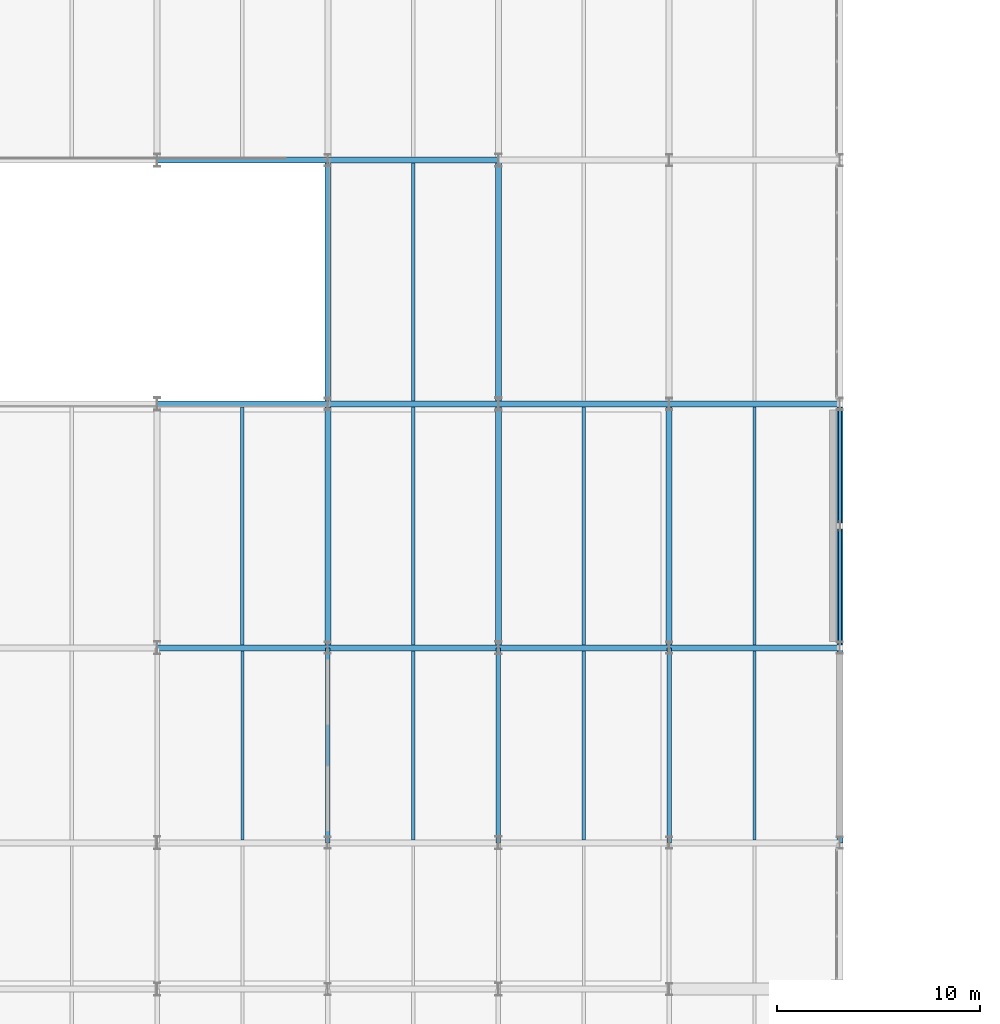
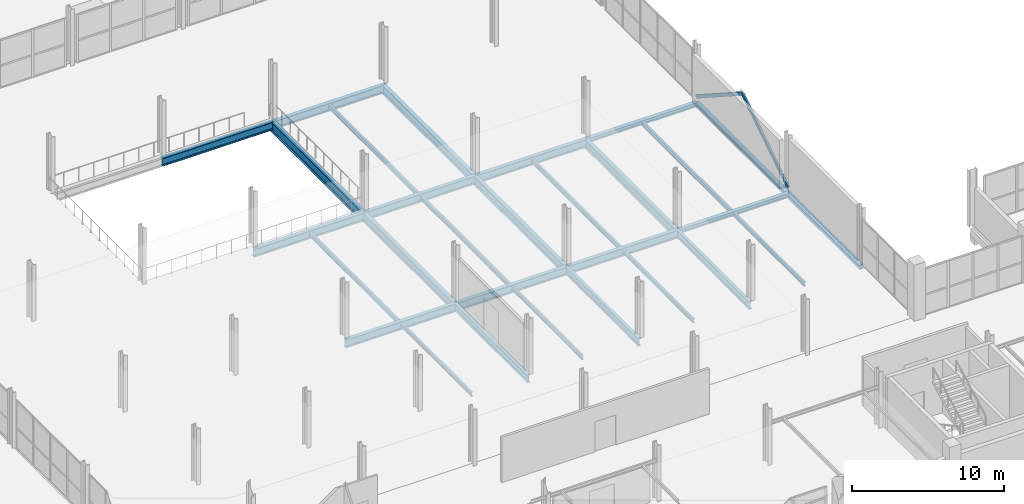
# One storey, part 60 of 130: 29 beams, 2 members.
"""IFC4 building model written with IfcOpenShell, lengths in metres."""

from ifc_helpers import new_model, si_unit, direction, frame, origin, origin_2d, place, context, subcontext, project, spatial, hollow_rectangle, i_section, extrude, material, material_profile, profile_set, type_object, element, save


model = new_model("IFC4")

# Units and contexts
model_context = context("Model", 3, precision=1e-05, world=origin(), true_north=direction((0.0, 1.0)))
body_context = subcontext(model_context, "Body", "Model", "MODEL_VIEW")
ifc_project = project(units=[si_unit("LENGTHUNIT", "METRE"), si_unit("AREAUNIT", "SQUARE_METRE"), si_unit("VOLUMEUNIT", "CUBIC_METRE"), si_unit("PLANEANGLEUNIT", "RADIAN"), si_unit("MASSUNIT", "GRAM", prefix="KILO")], contexts=[model_context])

# Site, building, storey
site_placement = place(None, origin())
site = spatial("IfcSite", under=ifc_project, at=site_placement, CompositionType="ELEMENT")
building_placement = place(site_placement, origin())
building = spatial("IfcBuilding", under=site, at=building_placement, Name="Veltarok Museum of Natural Sciences", CompositionType="ELEMENT")
storey_placement = place(building_placement, frame((0.0, 0.0, 12.89990234375)))
storey = spatial("IfcBuildingStorey", under=building, at=storey_placement, Name="L02", CompositionType="ELEMENT", Elevation=12.89990234375)

# Beams
ifc_material_1 = material(Name="Steel S355J2", Category="steel")
ifc_material_profile_1 = material_profile(ifc_material_1, i_section(OverallWidth=0.300048828125, OverallDepth=0.800048828125, WebThickness=0.017578125, FlangeThickness=0.032958984375, FilletRadius=0.030029296875, at=origin_2d()), Name="HEB 800")
ifc_profile_set_1 = profile_set([ifc_material_profile_1], Name="Steel S355J2")
beam_type_1 = type_object("IfcBeamType", Name="Atrium Edge Transfer Girder HEB 800", PredefinedType="BEAM", material=ifc_profile_set_1)
beam_1_placement = place(storey_placement, frame((73.60009765625, 48.0, -0.64990234375), z_axis=(0.0, 1.0, 0.0), x_axis=(-1.0, 0.0, 0.0)))
element("IfcBeam", 1, at=beam_1_placement, inside=storey, type_object=beam_type_1, Name="Beam BM-G06 L02 9/F-G", PredefinedType="BEAM", context=body_context, shape_type="SweptSolid", body=[
    extrude(i_section(OverallWidth=0.300048828125, OverallDepth=0.800048828125, WebThickness=0.017578125, FlangeThickness=0.032958984375, FilletRadius=0.030029296875, at=origin_2d()), origin(), (0.0, 0.0, 1.0), 12.0),
])
ifc_material_profile_2 = material_profile(ifc_material_1, i_section(OverallWidth=0.300048828125, OverallDepth=0.639892578125, WebThickness=0.013427734375, FlangeThickness=0.02587890625, FilletRadius=0.027099609375, at=origin_2d()), Name="HEA 650")
ifc_profile_set_2 = profile_set([ifc_material_profile_2], Name="Steel S355J2")
beam_type_2 = type_object("IfcBeamType", Name="Heavy Exhibition Girder HEA 650", PredefinedType="BEAM", material=ifc_profile_set_2)
beam_2_placement = place(storey_placement, frame((65.199951171875, 36.0, -0.56982421875), z_axis=(1.0, 0.0, 0.0), x_axis=(0.0, 1.0, 0.0)))
element("IfcBeam", 2, at=beam_2_placement, inside=storey, type_object=beam_type_2, Name="Beam BM-G08 L02 8-9/E", PredefinedType="BEAM", context=body_context, shape_type="SweptSolid", body=[
    extrude(i_section(OverallWidth=0.300048828125, OverallDepth=0.639892578125, WebThickness=0.013427734375, FlangeThickness=0.02587890625, FilletRadius=0.027099609375, at=origin_2d()), origin(), (0.0, 0.0, 1.0), 8.400146484375),
])
for number, where, z_axis, x_axis, name in (
    (3, (73.60009765625, 36.0, -0.56982421875), (1.0, 0.0, 0.0), (0.0, 1.0, 0.0), "Beam BM-G08 L02 9-10/E"),
    (4, (82.0, 36.0, -0.56982421875), (1.0, 0.0, 0.0), (0.0, 1.0, 0.0), "Beam BM-G08 L02 10-11/E"),
):
    element("IfcBeam", number, at=place(storey_placement, frame(where, z_axis=z_axis, x_axis=x_axis)), inside=storey, type_object=beam_type_2, Name=name, PredefinedType="BEAM", context=body_context, shape_type="SweptSolid", body=[
        extrude(i_section(OverallWidth=0.300048828125, OverallDepth=0.639892578125, WebThickness=0.013427734375, FlangeThickness=0.02587890625, FilletRadius=0.027099609375, at=origin_2d()), origin(), (0.0, 0.0, 1.0), 8.39990234375),
    ])
beam_3_placement = place(storey_placement, frame((65.199951171875, 48.0, -0.56982421875), z_axis=(1.0, 0.0, 0.0), x_axis=(0.0, 1.0, 0.0)))
element("IfcBeam", 5, at=beam_3_placement, inside=storey, type_object=beam_type_2, Name="Beam BM-G08 L02 8-9/F", PredefinedType="BEAM", context=body_context, shape_type="SweptSolid", body=[
    extrude(i_section(OverallWidth=0.300048828125, OverallDepth=0.639892578125, WebThickness=0.013427734375, FlangeThickness=0.02587890625, FilletRadius=0.027099609375, at=origin_2d()), origin(), (0.0, 0.0, 1.0), 8.400146484375),
])
for number, where, z_axis, x_axis, name in (
    (6, (73.60009765625, 48.0, -0.56982421875), (1.0, 0.0, 0.0), (0.0, 1.0, 0.0), "Beam BM-G08 L02 9-10/F"),
    (7, (82.0, 48.0, -0.56982421875), (1.0, 0.0, 0.0), (0.0, 1.0, 0.0), "Beam BM-G08 L02 10-11/F"),
):
    element("IfcBeam", number, at=place(storey_placement, frame(where, z_axis=z_axis, x_axis=x_axis)), inside=storey, type_object=beam_type_2, Name=name, PredefinedType="BEAM", context=body_context, shape_type="SweptSolid", body=[
        extrude(i_section(OverallWidth=0.300048828125, OverallDepth=0.639892578125, WebThickness=0.013427734375, FlangeThickness=0.02587890625, FilletRadius=0.027099609375, at=origin_2d()), origin(), (0.0, 0.0, 1.0), 8.39990234375),
    ])
beam_4_placement = place(storey_placement, frame((65.199951171875, 60.0, -0.56982421875), z_axis=(1.0, 0.0, 0.0), x_axis=(0.0, 1.0, 0.0)))
element("IfcBeam", 8, at=beam_4_placement, inside=storey, type_object=beam_type_2, Name="Beam BM-G08 L02 8-9/G", PredefinedType="BEAM", context=body_context, shape_type="SweptSolid", body=[
    extrude(i_section(OverallWidth=0.300048828125, OverallDepth=0.639892578125, WebThickness=0.013427734375, FlangeThickness=0.02587890625, FilletRadius=0.027099609375, at=origin_2d()), origin(), (0.0, 0.0, 1.0), 8.400146484375),
])
beam_5_placement = place(storey_placement, frame((73.60009765625, 60.0, -0.56982421875), z_axis=(1.0, 0.0, 0.0), x_axis=(0.0, 1.0, 0.0)))
element("IfcBeam", 9, at=beam_5_placement, inside=storey, type_object=beam_type_2, Name="Beam BM-G08 L02 9-10/G", PredefinedType="BEAM", context=body_context, shape_type="SweptSolid", body=[
    extrude(i_section(OverallWidth=0.300048828125, OverallDepth=0.639892578125, WebThickness=0.013427734375, FlangeThickness=0.02587890625, FilletRadius=0.027099609375, at=origin_2d()), origin(), (0.0, 0.0, 1.0), 8.39990234375),
])
ifc_material_profile_3 = material_profile(ifc_material_1, i_section(OverallWidth=0.169921875, OverallDepth=0.360107421875, WebThickness=0.008056640625, FlangeThickness=0.0126953125, FilletRadius=0.01806640625, at=origin_2d()), Name="IPE 360")
ifc_profile_set_3 = profile_set([ifc_material_profile_3], Name="Steel S355J2")
beam_type_3 = type_object("IfcBeamType", Name="Long-Bay Composite Joist IPE 360", PredefinedType="JOIST", material=ifc_profile_set_3)
for number, where, z_axis, x_axis, name in (
    (10, (69.39990234375, 36.14794921875, -0.429931640625), (0.0, 1.0, 0.0), (-1.0, 0.0, 0.0), "Secondary Joist BM-J01 L02 8-9/E-F.1"),
    (11, (77.800048828125, 36.14794921875, -0.429931640625), (0.0, 1.0, 0.0), (-1.0, 0.0, 0.0), "Secondary Joist BM-J01 L02 9-10/E-F.1"),
    (12, (77.800048828125, 48.14794921875, -0.429931640625), (0.0, 1.0, 0.0), (-1.0, 0.0, 0.0), "Secondary Joist BM-J01 L02 9-10/F-G.1"),
    (13, (86.199951171875, 36.14794921875, -0.429931640625), (0.0, 1.0, 0.0), (-1.0, 0.0, 0.0), "Secondary Joist BM-J01 L02 10-11/E-F.1"),
    (14, (94.60009765625, 36.14794921875, -0.429931640625), (0.0, 1.0, 0.0), (-1.0, 0.0, 0.0), "Secondary Joist BM-J01 L02 11-12/E-F.1"),
):
    element("IfcBeam", number, at=place(storey_placement, frame(where, z_axis=z_axis, x_axis=x_axis)), inside=storey, type_object=beam_type_3, Name=name, PredefinedType="JOIST", context=body_context, shape_type="SweptSolid", body=[
        extrude(i_section(OverallWidth=0.169921875, OverallDepth=0.360107421875, WebThickness=0.008056640625, FlangeThickness=0.0126953125, FilletRadius=0.01806640625, at=origin_2d()), origin(), (0.0, 0.0, 1.0), 11.7041015625),
    ])
ifc_material_profile_4 = material_profile(ifc_material_1, i_section(OverallWidth=0.300048828125, OverallDepth=0.699951171875, WebThickness=0.01708984375, FlangeThickness=0.031982421875, FilletRadius=0.027099609375, at=origin_2d()), Name="HEB 700")
ifc_profile_set_4 = profile_set([ifc_material_profile_4], Name="Steel S355J2")
beam_type_4 = type_object("IfcBeamType", Name="Long-Span Hall Girder HEB 700", PredefinedType="BEAM", material=ifc_profile_set_4)
for number, where, z_axis, x_axis, name in (
    (15, (73.60009765625, 36.0, -0.599853515625), (0.0, 1.0, 0.0), (-1.0, 0.0, 0.0), "Beam BM-G01 L02 9/E-F"),
    (16, (82.0, 36.0, -0.599853515625), (0.0, 1.0, 0.0), (-1.0, 0.0, 0.0), "Beam BM-G01 L02 10/E-F"),
    (17, (82.0, 48.0, -0.599853515625), (0.0, 1.0, 0.0), (-1.0, 0.0, 0.0), "Beam BM-G01 L02 10/F-G"),
    (18, (90.39990234375, 36.0, -0.599853515625), (0.0, 1.0, 0.0), (-1.0, 0.0, 0.0), "Beam BM-G01 L02 11/E-F"),
):
    element("IfcBeam", number, at=place(storey_placement, frame(where, z_axis=z_axis, x_axis=x_axis)), inside=storey, type_object=beam_type_4, Name=name, PredefinedType="BEAM", context=body_context, shape_type="SweptSolid", body=[
        extrude(i_section(OverallWidth=0.300048828125, OverallDepth=0.699951171875, WebThickness=0.01708984375, FlangeThickness=0.031982421875, FilletRadius=0.027099609375, at=origin_2d()), origin(), (0.0, 0.0, 1.0), 12.0),
    ])
ifc_material_profile_5 = material_profile(ifc_material_1, i_section(OverallWidth=0.159912109375, OverallDepth=0.330078125, WebThickness=0.007568359375, FlangeThickness=0.011474609375, FilletRadius=0.01806640625, at=origin_2d()), Name="IPE 330")
ifc_profile_set_5 = profile_set([ifc_material_profile_5], Name="Steel S355J2")
beam_type_5 = type_object("IfcBeamType", Name="Medium-Bay Composite Joist IPE 330", PredefinedType="JOIST", material=ifc_profile_set_5)
for number, where, z_axis, x_axis, name in (
    (19, (69.39990234375, 26.548095703125, -0.414794921875), (0.0, 1.0, 0.0), (-1.0, 0.0, 0.0), "Secondary Joist BM-J02 L02 8-9/D-E.1"),
    (20, (77.800048828125, 26.548095703125, -0.414794921875), (0.0, 1.0, 0.0), (-1.0, 0.0, 0.0), "Secondary Joist BM-J02 L02 9-10/D-E.1"),
    (21, (86.199951171875, 26.548095703125, -0.414794921875), (0.0, 1.0, 0.0), (-1.0, 0.0, 0.0), "Secondary Joist BM-J02 L02 10-11/D-E.1"),
    (22, (94.60009765625, 26.548095703125, -0.414794921875), (0.0, 1.0, 0.0), (-1.0, 0.0, 0.0), "Secondary Joist BM-J02 L02 11-12/D-E.1"),
):
    element("IfcBeam", number, at=place(storey_placement, frame(where, z_axis=z_axis, x_axis=x_axis)), inside=storey, type_object=beam_type_5, Name=name, PredefinedType="JOIST", context=body_context, shape_type="SweptSolid", body=[
        extrude(i_section(OverallWidth=0.159912109375, OverallDepth=0.330078125, WebThickness=0.007568359375, FlangeThickness=0.011474609375, FilletRadius=0.01806640625, at=origin_2d()), origin(), (0.0, 0.0, 1.0), 9.303955078125),
    ])

# Members
ifc_material_2 = material(Name="Oxide-red painted Steel S355J2", Category="steel")
ifc_material_profile_6 = material_profile(ifc_material_2, hollow_rectangle(XDim=0.14990234375, YDim=0.25, WallThickness=0.010009765625, at=origin_2d()), Name="RHS 250x150x10")
ifc_profile_set_6 = profile_set([ifc_material_profile_6], Name="Oxide-red painted Steel S355J2")
member_type = type_object("IfcMemberType", Name="Perimeter Frame Lateral Brace RHS 250x150x10", PredefinedType="BRACE", material=ifc_profile_set_6)
for number, where, z_axis, x_axis, name in (
    (23, (98.800048828125, 36.0, 0.150146484375), (0.0, 0.840366487678, 0.54201860336), (-1.0, 0.0, 0.0), "Chevron Lateral Brace L02 12/E-F"),
    (24, (98.800048828125, 48.0, 0.150146484375), (0.0, -0.840366487678, 0.54201860336), (1.0, 0.0, 0.0), "Chevron Lateral Brace L02 12/E-F"),
):
    element("IfcMember", number, at=place(storey_placement, frame(where, z_axis=z_axis, x_axis=x_axis)), inside=storey, type_object=member_type, Name=name, PredefinedType="BRACE", context=body_context, shape_type="SweptSolid", body=[
        extrude(hollow_rectangle(XDim=0.14990234375, YDim=0.25, WallThickness=0.010009765625, at=origin_2d()), origin(), (0.0, 0.0, 1.0), 7.1396484375),
    ])

# Beams
ifc_material_profile_7 = material_profile(ifc_material_1, i_section(OverallWidth=0.300048828125, OverallDepth=0.330078125, WebThickness=0.009521484375, FlangeThickness=0.0166015625, FilletRadius=0.027099609375, at=origin_2d()), Name="HEA 340")
ifc_profile_set_7 = profile_set([ifc_material_profile_7], Name="Steel S355J2")
beam_type_6 = type_object("IfcBeamType", Name="Perimeter Upper Spandrel HEA 340", PredefinedType="SPANDREL", material=ifc_profile_set_7)
for number, where, z_axis, x_axis, name in (
    (25, (90.39990234375, 36.0, -0.414794921875), (1.0, 0.0, 0.0), (0.0, 1.0, 0.0), "Beam BM-SP05 L02 11-12/E"),
    (26, (90.39990234375, 48.0, -0.414794921875), (1.0, 0.0, 0.0), (0.0, 1.0, 0.0), "Beam BM-SP05 L02 11-12/F"),
):
    element("IfcBeam", number, at=place(storey_placement, frame(where, z_axis=z_axis, x_axis=x_axis)), inside=storey, type_object=beam_type_6, Name=name, PredefinedType="SPANDREL", context=body_context, shape_type="SweptSolid", body=[
        extrude(i_section(OverallWidth=0.300048828125, OverallDepth=0.330078125, WebThickness=0.009521484375, FlangeThickness=0.0166015625, FilletRadius=0.027099609375, at=origin_2d()), origin(), (0.0, 0.0, 1.0), 8.400146484375),
    ])
beam_6_placement = place(storey_placement, frame((98.800048828125, 26.39990234375, -0.414794921875), z_axis=(0.0, 1.0, 0.0), x_axis=(-1.0, 0.0, 0.0)))
element("IfcBeam", 27, at=beam_6_placement, inside=storey, type_object=beam_type_6, Name="Beam BM-SP05 L02 12/D-E", PredefinedType="SPANDREL", context=body_context, shape_type="SweptSolid", body=[
    extrude(i_section(OverallWidth=0.300048828125, OverallDepth=0.330078125, WebThickness=0.009521484375, FlangeThickness=0.0166015625, FilletRadius=0.027099609375, at=origin_2d()), origin(), (0.0, 0.0, 1.0), 9.60009765625),
])
beam_7_placement = place(storey_placement, frame((98.800048828125, 36.0, -0.414794921875), z_axis=(0.0, 1.0, 0.0), x_axis=(-1.0, 0.0, 0.0)))
element("IfcBeam", 28, at=beam_7_placement, inside=storey, type_object=beam_type_6, Name="Beam BM-SP05 L02 12/E-F", PredefinedType="SPANDREL", context=body_context, shape_type="SweptSolid", body=[
    extrude(i_section(OverallWidth=0.300048828125, OverallDepth=0.330078125, WebThickness=0.009521484375, FlangeThickness=0.0166015625, FilletRadius=0.027099609375, at=origin_2d()), origin(), (0.0, 0.0, 1.0), 12.0),
])
ifc_material_profile_8 = material_profile(ifc_material_1, i_section(OverallWidth=0.219970703125, OverallDepth=0.60009765625, WebThickness=0.011962890625, FlangeThickness=0.01904296875, FilletRadius=0.02392578125, at=origin_2d()), Name="IPE 600")
ifc_profile_set_8 = profile_set([ifc_material_profile_8], Name="Steel S355J2")
beam_type_7 = type_object("IfcBeamType", Name="Primary Museum Girder IPE 600", PredefinedType="BEAM", material=ifc_profile_set_8)
for number, where, z_axis, x_axis, name in (
    (29, (73.60009765625, 26.39990234375, -0.5498046875), (0.0, 1.0, 0.0), (-1.0, 0.0, 0.0), "Beam BM-G02 L02 9/D-E"),
    (30, (82.0, 26.39990234375, -0.5498046875), (0.0, 1.0, 0.0), (-1.0, 0.0, 0.0), "Beam BM-G02 L02 10/D-E"),
    (31, (90.39990234375, 26.39990234375, -0.5498046875), (0.0, 1.0, 0.0), (-1.0, 0.0, 0.0), "Beam BM-G02 L02 11/D-E"),
):
    element("IfcBeam", number, at=place(storey_placement, frame(where, z_axis=z_axis, x_axis=x_axis)), inside=storey, type_object=beam_type_7, Name=name, PredefinedType="BEAM", context=body_context, shape_type="SweptSolid", body=[
        extrude(i_section(OverallWidth=0.219970703125, OverallDepth=0.60009765625, WebThickness=0.011962890625, FlangeThickness=0.01904296875, FilletRadius=0.02392578125, at=origin_2d()), origin(), (0.0, 0.0, 1.0), 9.60009765625),
    ])

save(model, "model.ifc")
